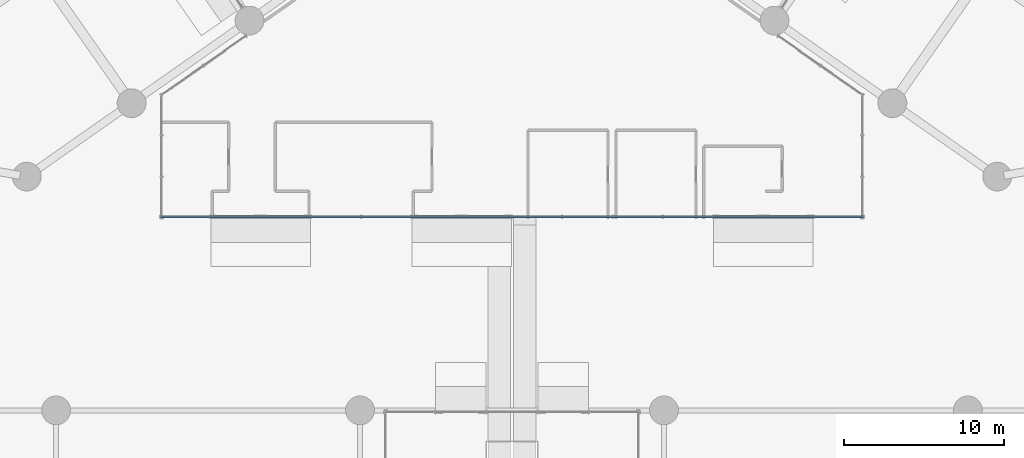
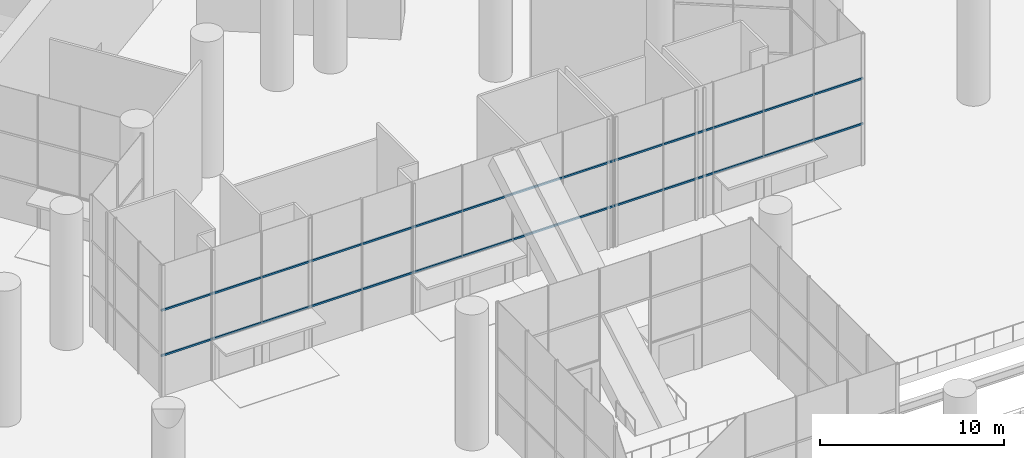
# One storey, part 6 of 37: 2 members, 1 element without a shape of its own.
"""IFC4 building model written with IfcOpenShell, lengths in metres."""

import ifcopenshell
import ifcopenshell.guid

model = None  # the IFC model being written
_history = None  # IfcOwnerHistory: only IFC2X3 demands one
_inside = {}  # id of a spatial element -> (the spatial element, [elements in it])
_under = {}  # id of a project, library or spatial element -> (it, [spatial elements below it])
_declared = {}  # id of a project -> (the project, [libraries it declares])
_typed = {}  # id of a type object -> (the type object, [elements of that type])
_made_of = {}  # id of a material, layer set ... -> (it, [elements and type objects made of it])


def new_model(schema):
    """Start an empty IFC model of exactly this schema.

    Asked for "IFC4X3", IfcOpenShell would pick the latest addendum, in which some entities
    have other attributes; the version numbers below select the first issue.
    IFC2X3 requires an IfcOwnerHistory on every rooted entity: one is made here for all.
    """
    global model, _history
    if schema == "IFC4X3":
        model = ifcopenshell.file(schema_version=(4, 3, 0, 0))
    else:
        model = ifcopenshell.file(schema=schema)
    _inside.clear()
    _under.clear()
    _declared.clear()
    _typed.clear()
    _made_of.clear()
    _history = None
    if model.schema == "IFC2X3":
        org = make("IfcOrganization", Name="unknown")
        user = make(
            "IfcPersonAndOrganization",
            ThePerson=make("IfcPerson", FamilyName="unknown"),
            TheOrganization=org,
        )
        app = make(
            "IfcApplication",
            ApplicationDeveloper=org,
            Version="unknown",
            ApplicationFullName="unknown",
            ApplicationIdentifier="unknown",
        )
        _history = make(
            "IfcOwnerHistory",
            OwningUser=user,
            OwningApplication=app,
            ChangeAction="ADDED",
            CreationDate=0,
        )
    return model


def make(cls, **values):
    """One entity of the class cls with the attributes given. An attribute that is None is left unset."""
    return model.create_entity(
        cls, **{name: value for name, value in values.items() if value is not None}
    )


def rooted(cls, **values):
    """An entity with a GlobalId (a new one), such as an element, a storey or a relation."""
    return make(cls, GlobalId=ifcopenshell.guid.new(), OwnerHistory=_history, **values)


def si_unit(unit_type, name, prefix=None):
    """IfcSIUnit, for example si_unit("LENGTHUNIT", "METRE", prefix="MILLI")."""
    return make("IfcSIUnit", UnitType=unit_type, Prefix=prefix, Name=name)


def assignment(units):
    """IfcUnitAssignment: the units of a project."""
    return None if units is None else make("IfcUnitAssignment", Units=units)


def point(xyz):
    """IfcCartesianPoint."""
    return None if xyz is None else make("IfcCartesianPoint", Coordinates=xyz)


def direction(xyz):
    """IfcDirection."""
    return None if xyz is None else make("IfcDirection", DirectionRatios=xyz)


def frame(location, z_axis=None, x_axis=None):
    """IfcAxis2Placement3D, a coordinate frame: its origin and axes. An axis left out is left unset."""
    return make(
        "IfcAxis2Placement3D",
        Location=point(location),
        Axis=direction(z_axis),
        RefDirection=direction(x_axis),
    )


def frame_2d(location, x_axis=None):
    """IfcAxis2Placement2D, a coordinate frame in the plane: its origin and x axis."""
    return make(
        "IfcAxis2Placement2D", Location=point(location), RefDirection=direction(x_axis)
    )


def origin():
    """The frame at (0, 0, 0) with its axes left unset."""
    return frame((0.0, 0.0, 0.0))


def origin_2d():
    """The frame at (0, 0) in the plane with its x axis left unset."""
    return frame_2d((0.0, 0.0))


def place(relative_to, where):
    """IfcLocalPlacement: puts the frame where relative to a parent placement (None: the world)."""
    return make(
        "IfcLocalPlacement", PlacementRelTo=relative_to, RelativePlacement=where
    )


def context(
    kind, dimensions, precision=None, world=None, true_north=None, identifier=None
):
    """IfcGeometricRepresentationContext, for example the 3D "Model" context."""
    return make(
        "IfcGeometricRepresentationContext",
        ContextIdentifier=identifier,
        ContextType=kind,
        CoordinateSpaceDimension=dimensions,
        Precision=precision,
        WorldCoordinateSystem=world,
        TrueNorth=true_north,
    )


def subcontext(parent, identifier, kind, view, scale=None):
    """IfcGeometricRepresentationSubContext, for example "Body" below "Model"."""
    return make(
        "IfcGeometricRepresentationSubContext",
        ContextIdentifier=identifier,
        ContextType=kind,
        ParentContext=parent,
        TargetScale=scale,
        TargetView=view,
    )


def project(units=None, contexts=None):
    """IfcProject with its units and contexts."""
    return rooted(
        "IfcProject",
        Name="project",
        RepresentationContexts=contexts,
        UnitsInContext=assignment(units),
    )


def spatial(cls, under=None, at=None, **own):
    """A site, building, storey or space (cls), placed at a placement, below another one or the project."""
    s = rooted(cls, ObjectPlacement=at, **own)
    if under is not None:
        _under.setdefault(under.id(), (under, []))[1].append(s)
    return s


def profile(cls, at=None, kind="AREA", **sizes):
    """A parametric profile (cls). Its sizes go by their IFC names, for example OverallWidth=200.0."""
    return make(cls, ProfileType=kind, Position=at, **sizes)


def rectangle(**sizes):
    """IfcRectangleProfileDef."""
    return profile("IfcRectangleProfileDef", **sizes)


def extrude(swept, where, along, depth):
    """IfcExtrudedAreaSolid: the profile swept, set in the frame where, extruded along a direction by depth."""
    return make(
        "IfcExtrudedAreaSolid",
        SweptArea=swept,
        Position=where,
        ExtrudedDirection=direction(along),
        Depth=depth,
    )


def shape(context_of_items, identifier, shape_type, items):
    """IfcShapeRepresentation: the items that make up one representation, for example the "Body"."""
    return make(
        "IfcShapeRepresentation",
        ContextOfItems=context_of_items,
        RepresentationIdentifier=identifier,
        RepresentationType=shape_type,
        Items=items,
    )


def material(Name=None, Category=None):
    """IfcMaterial."""
    return make("IfcMaterial", Name=Name, Category=Category)


def material_profile(
    of_material, cross_section, Name=None, Category=None, Priority=None
):
    """IfcMaterialProfile: a cross section and its material."""
    return make(
        "IfcMaterialProfile",
        Name=Name,
        Material=of_material,
        Profile=cross_section,
        Priority=Priority,
        Category=Category,
    )


def profile_set(profiles, Name=None, composite=None):
    """IfcMaterialProfileSet."""
    return make(
        "IfcMaterialProfileSet",
        Name=Name,
        MaterialProfiles=profiles,
        CompositeProfile=composite,
    )


def made_of(thing, what):
    """Note that an element or type object is made of a material, layer set ...; save() writes the relation."""
    if what is not None:
        _made_of.setdefault(what.id(), (what, []))[1].append(thing)
    return thing


def type_object(cls, material=None, **own):
    """A type object (cls), such as IfcWallType, which elements share."""
    return made_of(rooted(cls, **own), material)


def element(
    cls,
    number,
    at=None,
    inside=None,
    cuts=None,
    type_object=None,
    material=None,
    context=None,
    identifier="Body",
    shape_type=None,
    held_by="IfcProductDefinitionShape",
    body=None,
    shapes=None,
    **own,
):
    """One element of the class cls, such as IfcWall. Its Tag is "e" and its number.

    at: its placement. inside: the storey or other place that contains it. cuts: it is an
    opening in that element (IfcRelVoidsElement). A single representation is given by context,
    identifier, shape_type and body (its items); several are given by shapes. held_by: the class
    of the entity that holds the representations. save() writes the other relations.
    """
    e = rooted(cls, Tag="e%d" % number, ObjectPlacement=at, **own)
    if body is not None:
        shapes = [shape(context, identifier, shape_type, body)]
    if shapes is not None:
        e.Representation = make(held_by, Representations=shapes)
    if inside is not None:
        _inside.setdefault(inside.id(), (inside, []))[1].append(e)
    if cuts is not None:
        rooted(
            "IfcRelVoidsElement", RelatingBuildingElement=cuts, RelatedOpeningElement=e
        )
    if type_object is not None:
        _typed.setdefault(type_object.id(), (type_object, []))[1].append(e)
    return made_of(e, material)


def aggregate(whole, parts):
    """IfcRelAggregates: a whole, such as a stair, and the parts it consists of."""
    return rooted("IfcRelAggregates", RelatingObject=whole, RelatedObjects=parts)


def save(model, path):
    """Write the relations noted so far, then the file.

    IfcRelAggregates (storeys below a building ...), IfcRelContainedInSpatialStructure (elements
    in a storey), IfcRelDefinesByType, IfcRelAssociatesMaterial and IfcRelDeclares: one each for
    every whole, place, type object, material and project.
    """
    for whole, parts in _under.values():
        aggregate(whole, parts)
    for where, things in _inside.values():
        rooted(
            "IfcRelContainedInSpatialStructure",
            RelatedElements=things,
            RelatingStructure=where,
        )
    for kind, things in _typed.values():
        rooted("IfcRelDefinesByType", RelatedObjects=things, RelatingType=kind)
    for what, things in _made_of.values():
        rooted("IfcRelAssociatesMaterial", RelatedObjects=things, RelatingMaterial=what)
    for by, libraries in _declared.values():
        rooted("IfcRelDeclares", RelatingContext=by, RelatedDefinitions=libraries)
    model.write(path)


model = new_model("IFC4")

# Units and contexts
model_context = context("Model", 3, precision=1e-05, world=origin(), true_north=direction((0.0, 1.0)))
body_context = subcontext(model_context, "Body", "Model", "MODEL_VIEW")
ifc_project = project(units=[si_unit("LENGTHUNIT", "METRE"), si_unit("AREAUNIT", "SQUARE_METRE"), si_unit("VOLUMEUNIT", "CUBIC_METRE"), si_unit("PLANEANGLEUNIT", "RADIAN"), si_unit("MASSUNIT", "GRAM", prefix="KILO")], contexts=[model_context])

# Site, building, storey
site_placement = place(None, origin())
site = spatial("IfcSite", under=ifc_project, at=site_placement, CompositionType="ELEMENT")
building_placement = place(site_placement, origin())
building = spatial("IfcBuilding", under=site, at=building_placement, Name="Tel Ilan Convention Tower", CompositionType="ELEMENT")
storey_placement = place(building_placement, origin())
storey = spatial("IfcBuildingStorey", under=building, at=storey_placement, Name="L00", CompositionType="ELEMENT", Elevation=0.0)

# Curtain wall, members
ifc_material_1 = material(Name="Aluminium, bronze anodised", Category="aluminium")
curtain_wall_type = type_object("IfcCurtainWallType", Name="CW6 LOBBY PAVILION CURTAIN WALL, CLEAR GLASS", PredefinedType="NOTDEFINED", material=ifc_material_1)
curtain_wall_placement = place(storey_placement, origin())
curtain_wall = element("IfcCurtainWall", 1, at=curtain_wall_placement, inside=storey, type_object=curtain_wall_type, Name="Curtain wall CW6-03.05", PredefinedType="NOTDEFINED")
ifc_material_2 = material(Name="Aluminium, bronze anodised", Category="aluminium")
ifc_material_profile = material_profile(ifc_material_2, rectangle(XDim=0.10009765625, YDim=0.1201171875, at=origin_2d()), Name="CW TRANSOM 100x120")
ifc_profile_set = profile_set([ifc_material_profile], Name="Aluminium, bronze anodised")
member_type = type_object("IfcMemberType", Name="CW TRANSOM 100x120", PredefinedType="USERDEFINED", material=ifc_profile_set)
member_1_placement = place(storey_placement, frame((21.969970703125, -35.89990234375, 2.699951171875), z_axis=(-1.0, 0.0, 0.0), x_axis=(0.0, -1.0, 0.0)))
member_1 = element("IfcMember", 2, at=member_1_placement, type_object=member_type, Name="Transom", ObjectType="TRANSOM", PredefinedType="USERDEFINED", context=body_context, shape_type="SweptSolid", body=[
    extrude(rectangle(XDim=0.10009765625, YDim=0.1201171875, at=origin_2d()), origin(), (0.0, 0.0, 1.0), 43.93994140625),
])
member_2_placement = place(storey_placement, frame((21.969970703125, -35.89990234375, 5.699951171875), z_axis=(-1.0, 0.0, 0.0), x_axis=(0.0, -1.0, 0.0)))
member_2 = element("IfcMember", 3, at=member_2_placement, type_object=member_type, Name="Transom", ObjectType="TRANSOM", PredefinedType="USERDEFINED", context=body_context, shape_type="SweptSolid", body=[
    extrude(rectangle(XDim=0.10009765625, YDim=0.1201171875, at=origin_2d()), origin(), (0.0, 0.0, 1.0), 43.93994140625),
])
aggregate(curtain_wall, [member_1, member_2])

save(model, "model.ifc")
